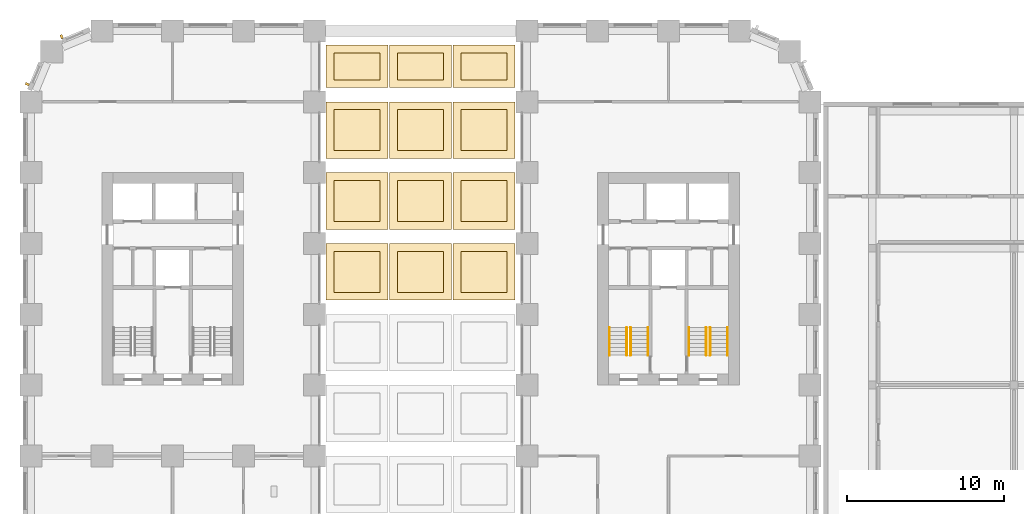
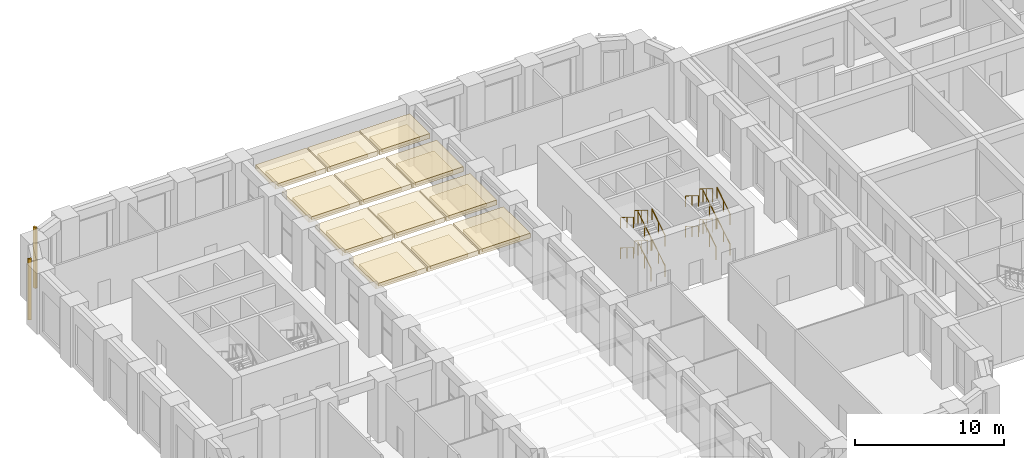
# One storey, part 20 of 24: 24 coverings, 16 railings, 2 shading devices.
"""IFC4 building model written with IfcOpenShell, lengths in metres."""

from ifc_helpers import new_model, si_unit, direction, frame, origin, origin_2d, place, context, subcontext, project, spatial, rectangle, circle, extrude, material, layer, layer_set, type_object, element, save


model = new_model("IFC4")

# Units and contexts
model_context = context("Model", 3, precision=1e-05, world=origin(), true_north=direction((0.0, 1.0)))
body_context = subcontext(model_context, "Body", "Model", "MODEL_VIEW")
ifc_project = project(units=[si_unit("LENGTHUNIT", "METRE"), si_unit("AREAUNIT", "SQUARE_METRE"), si_unit("VOLUMEUNIT", "CUBIC_METRE"), si_unit("PLANEANGLEUNIT", "RADIAN"), si_unit("MASSUNIT", "GRAM", prefix="KILO")], contexts=[model_context])

# Site, building, storey
site_placement = place(None, origin())
site = spatial("IfcSite", under=ifc_project, at=site_placement, CompositionType="ELEMENT")
building_placement = place(site_placement, origin())
building = spatial("IfcBuilding", under=site, at=building_placement, Name="Girih Gate Residences", CompositionType="ELEMENT")
storey_placement = place(building_placement, frame((0.0, 0.0, 16.0)))
storey = spatial("IfcBuildingStorey", under=building, at=storey_placement, Name="L03", CompositionType="ELEMENT", Elevation=16.0)

# Shading devices
ifc_material_1 = material(Name="Precast concrete C50/60", Category="concrete")
shading_device_type = type_object("IfcShadingDeviceType", Name="Corner rib 150x250", PredefinedType="USERDEFINED", material=ifc_material_1)
for number, where, z_axis, x_axis, name in (
    (1, (1.9443359375, 49.14501953125, 0.0), (0.0, 0.0, 1.0), (-0.923879532511, -0.382683432365, 0.0), "Corner rib NW0045_0495.0"),
    (2, (-0.238037109375, 46.123779296875, 0.0), (0.0, 0.0, 1.0), (-0.382683432365, -0.923879532511, 0.0), "Corner rib NW0013_0482.0"),
):
    element("IfcShadingDevice", number, at=place(storey_placement, frame(where, z_axis=z_axis, x_axis=x_axis)), inside=storey, type_object=shading_device_type, Name=name, ObjectType="FIN", PredefinedType="USERDEFINED", context=body_context, shape_type="SweptSolid", body=[
        extrude(rectangle(XDim=0.14990234375, YDim=0.25, at=origin_2d()), origin(), (0.0, 0.0, 1.0), 5.0),
    ])

# Coverings
ifc_layer_1 = layer(ifc_material_1, 0.25)
ifc_layer_set_1 = layer_set([ifc_layer_1], Name="Muqarnas soffit coffer 250")
covering_type_1 = type_object("IfcCoveringType", Name="Muqarnas soffit coffer 250", PredefinedType="CEILING", material=ifc_layer_set_1)
for number, where, z_axis, x_axis, name in (
    (3, (20.716796875, 34.199951171875, 3.89990234375), (0.0, 0.0, 1.0), (1.0, 0.0, 0.0), "Soffit coffer step 8.1"),
    (4, (24.75, 34.199951171875, 3.89990234375), (0.0, 0.0, 1.0), (1.0, 0.0, 0.0), "Soffit coffer step 8.2"),
    (5, (28.783203125, 34.199951171875, 3.89990234375), (0.0, 0.0, 1.0), (1.0, 0.0, 0.0), "Soffit coffer step 8.3"),
    (6, (20.716796875, 38.699951171875, 3.89990234375), (0.0, 0.0, 1.0), (1.0, 0.0, 0.0), "Soffit coffer step 9.1"),
    (7, (24.75, 38.699951171875, 3.89990234375), (0.0, 0.0, 1.0), (1.0, 0.0, 0.0), "Soffit coffer step 9.2"),
    (8, (28.783203125, 38.699951171875, 3.89990234375), (0.0, 0.0, 1.0), (1.0, 0.0, 0.0), "Soffit coffer step 9.3"),
    (9, (20.716796875, 43.199951171875, 3.89990234375), (0.0, 0.0, 1.0), (1.0, 0.0, 0.0), "Soffit coffer step 10.1"),
    (10, (24.75, 43.199951171875, 3.89990234375), (0.0, 0.0, 1.0), (1.0, 0.0, 0.0), "Soffit coffer step 10.2"),
    (11, (28.783203125, 43.199951171875, 3.89990234375), (0.0, 0.0, 1.0), (1.0, 0.0, 0.0), "Soffit coffer step 10.3"),
):
    element("IfcCovering", number, at=place(storey_placement, frame(where, z_axis=z_axis, x_axis=x_axis)), inside=storey, type_object=covering_type_1, Name=name, PredefinedType="CEILING", context=body_context, shape_type="SweptSolid", body=[
        extrude(rectangle(XDim=2.933349609375, YDim=2.60009765625, at=origin_2d()), origin(), (0.0, 0.0, 1.0), 0.25),
    ])
for number, where, z_axis, x_axis, name in (
    (12, (20.716796875, 47.25, 3.89990234375), (0.0, 0.0, 1.0), (1.0, 0.0, 0.0), "Soffit coffer step 11.1"),
    (13, (24.75, 47.25, 3.89990234375), (0.0, 0.0, 1.0), (1.0, 0.0, 0.0), "Soffit coffer step 11.2"),
    (14, (28.783203125, 47.25, 3.89990234375), (0.0, 0.0, 1.0), (1.0, 0.0, 0.0), "Soffit coffer step 11.3"),
):
    element("IfcCovering", number, at=place(storey_placement, frame(where, z_axis=z_axis, x_axis=x_axis)), inside=storey, type_object=covering_type_1, Name=name, PredefinedType="CEILING", context=body_context, shape_type="SweptSolid", body=[
        extrude(rectangle(XDim=2.933349609375, YDim=1.699951171875, at=origin_2d()), origin(), (0.0, 0.0, 1.0), 0.25),
    ])
ifc_layer_2 = layer(ifc_material_1, 0.39990234375)
ifc_layer_set_2 = layer_set([ifc_layer_2], Name="Muqarnas soffit coffer 400")
covering_type_2 = type_object("IfcCoveringType", Name="Muqarnas soffit coffer 400", PredefinedType="CEILING", material=ifc_layer_set_2)
for number, where, z_axis, x_axis, name in (
    (15, (20.716796875, 34.199951171875, 4.150146484375), (0.0, 0.0, 1.0), (1.0, 0.0, 0.0), "Soffit coffer 8.1"),
    (16, (24.75, 34.199951171875, 4.150146484375), (0.0, 0.0, 1.0), (1.0, 0.0, 0.0), "Soffit coffer 8.2"),
    (17, (28.783203125, 34.199951171875, 4.150146484375), (0.0, 0.0, 1.0), (1.0, 0.0, 0.0), "Soffit coffer 8.3"),
    (18, (20.716796875, 38.699951171875, 4.150146484375), (0.0, 0.0, 1.0), (1.0, 0.0, 0.0), "Soffit coffer 9.1"),
    (19, (24.75, 38.699951171875, 4.150146484375), (0.0, 0.0, 1.0), (1.0, 0.0, 0.0), "Soffit coffer 9.2"),
    (20, (28.783203125, 38.699951171875, 4.150146484375), (0.0, 0.0, 1.0), (1.0, 0.0, 0.0), "Soffit coffer 9.3"),
    (21, (20.716796875, 43.199951171875, 4.150146484375), (0.0, 0.0, 1.0), (1.0, 0.0, 0.0), "Soffit coffer 10.1"),
    (22, (24.75, 43.199951171875, 4.150146484375), (0.0, 0.0, 1.0), (1.0, 0.0, 0.0), "Soffit coffer 10.2"),
    (23, (28.783203125, 43.199951171875, 4.150146484375), (0.0, 0.0, 1.0), (1.0, 0.0, 0.0), "Soffit coffer 10.3"),
):
    element("IfcCovering", number, at=place(storey_placement, frame(where, z_axis=z_axis, x_axis=x_axis)), inside=storey, type_object=covering_type_2, Name=name, PredefinedType="CEILING", context=body_context, shape_type="SweptSolid", body=[
        extrude(rectangle(XDim=3.933349609375, YDim=3.60009765625, at=origin_2d()), origin(), (0.0, 0.0, 1.0), 0.39990234375),
    ])
for number, where, z_axis, x_axis, name in (
    (24, (20.716796875, 47.25, 4.150146484375), (0.0, 0.0, 1.0), (1.0, 0.0, 0.0), "Soffit coffer 11.1"),
    (25, (24.75, 47.25, 4.150146484375), (0.0, 0.0, 1.0), (1.0, 0.0, 0.0), "Soffit coffer 11.2"),
    (26, (28.783203125, 47.25, 4.150146484375), (0.0, 0.0, 1.0), (1.0, 0.0, 0.0), "Soffit coffer 11.3"),
):
    element("IfcCovering", number, at=place(storey_placement, frame(where, z_axis=z_axis, x_axis=x_axis)), inside=storey, type_object=covering_type_2, Name=name, PredefinedType="CEILING", context=body_context, shape_type="SweptSolid", body=[
        extrude(rectangle(XDim=3.933349609375, YDim=2.699951171875, at=origin_2d()), origin(), (0.0, 0.0, 1.0), 0.39990234375),
    ])

# Railings
ifc_material_2 = material(Name="Stainless steel", Category="steel")
railing_type_1 = type_object("IfcRailingType", Name="Stair guard 1100", PredefinedType="GUARDRAIL", material=ifc_material_2)
railing_1_placement = place(storey_placement, frame((43.14990234375, 28.89990234375, 0.15625)))
element("IfcRailing", 27, at=railing_1_placement, inside=storey, type_object=railing_type_1, Name="L03 ST-E1 stair guard 1", PredefinedType="GUARDRAIL", context=body_context, shape_type="SweptSolid", body=[
    extrude(circle(Radius=0.02392578125, at=origin_2d()), frame((0.0, 0.0, 1.076171875), z_axis=(0.0, 0.847998304005, 0.529998940003), x_axis=(-1.0, 0.0, 0.0)), (0.0, 0.0, 1.0), 2.063720703125),
    extrude(circle(Radius=0.02099609375, at=origin_2d()), origin(), (0.0, 0.0, 1.0), 1.052001953125),
    extrude(circle(Radius=0.02099609375, at=origin_2d()), frame((0.0, 0.875, 0.546875)), (0.0, 0.0, 1.0), 1.052001953125),
    extrude(circle(Radius=0.02099609375, at=origin_2d()), frame((0.0, 1.75, 1.09375)), (0.0, 0.0, 1.0), 1.052001953125),
])
railing_2_placement = place(storey_placement, frame((42.89990234375, 30.64990234375, 1.40625)))
element("IfcRailing", 28, at=railing_2_placement, inside=storey, type_object=railing_type_1, Name="L03 ST-E1 stair guard 2", PredefinedType="GUARDRAIL", context=body_context, shape_type="SweptSolid", body=[
    extrude(circle(Radius=0.02392578125, at=origin_2d()), frame((0.0, 0.0, 1.076171875), z_axis=(0.0, -0.847998304005, 0.529998940003), x_axis=(1.0, 0.0, 0.0)), (0.0, 0.0, 1.0), 2.063720703125),
    extrude(circle(Radius=0.02099609375, at=origin_2d()), origin(), (0.0, 0.0, 1.0), 1.052001953125),
    extrude(circle(Radius=0.02099609375, at=origin_2d()), frame((0.0, -0.875, 0.546875)), (0.0, 0.0, 1.0), 1.052001953125),
    extrude(circle(Radius=0.02099609375, at=origin_2d()), frame((0.0, -1.75, 1.09375)), (0.0, 0.0, 1.0), 1.052001953125),
])
railing_3_placement = place(storey_placement, frame((43.14990234375, 28.89990234375, 2.65625)))
element("IfcRailing", 29, at=railing_3_placement, inside=storey, type_object=railing_type_1, Name="L03 ST-E1 stair guard 3", PredefinedType="GUARDRAIL", context=body_context, shape_type="SweptSolid", body=[
    extrude(circle(Radius=0.02392578125, at=origin_2d()), frame((0.0, 0.0, 1.076171875), z_axis=(0.0, 0.847998304005, 0.529998940003), x_axis=(-1.0, 0.0, 0.0)), (0.0, 0.0, 1.0), 2.063720703125),
    extrude(circle(Radius=0.02099609375, at=origin_2d()), origin(), (0.0, 0.0, 1.0), 1.052001953125),
    extrude(circle(Radius=0.02099609375, at=origin_2d()), frame((0.0, 0.875, 0.546875)), (0.0, 0.0, 1.0), 1.052001953125),
    extrude(circle(Radius=0.02099609375, at=origin_2d()), frame((0.0, 1.75, 1.09375)), (0.0, 0.0, 1.0), 1.052001953125),
])
railing_4_placement = place(storey_placement, frame((42.89990234375, 30.64990234375, 3.90625)))
element("IfcRailing", 30, at=railing_4_placement, inside=storey, type_object=railing_type_1, Name="L03 ST-E1 stair guard 4", PredefinedType="GUARDRAIL", context=body_context, shape_type="SweptSolid", body=[
    extrude(circle(Radius=0.02392578125, at=origin_2d()), frame((0.0, 0.0, 1.076171875), z_axis=(0.0, -0.847998304005, 0.529998940003), x_axis=(1.0, 0.0, 0.0)), (0.0, 0.0, 1.0), 2.063720703125),
    extrude(circle(Radius=0.02099609375, at=origin_2d()), origin(), (0.0, 0.0, 1.0), 1.052001953125),
    extrude(circle(Radius=0.02099609375, at=origin_2d()), frame((0.0, -0.875, 0.546875)), (0.0, 0.0, 1.0), 1.052001953125),
    extrude(circle(Radius=0.02099609375, at=origin_2d()), frame((0.0, -1.75, 1.09375)), (0.0, 0.0, 1.0), 1.052001953125),
])
railing_5_placement = place(storey_placement, frame((38.10009765625, 28.89990234375, 0.15625)))
element("IfcRailing", 31, at=railing_5_placement, inside=storey, type_object=railing_type_1, Name="L03 ST-E2 stair guard 1", PredefinedType="GUARDRAIL", context=body_context, shape_type="SweptSolid", body=[
    extrude(circle(Radius=0.02392578125, at=origin_2d()), frame((0.0, 0.0, 1.076171875), z_axis=(0.0, 0.847998304005, 0.529998940003), x_axis=(-1.0, 0.0, 0.0)), (0.0, 0.0, 1.0), 2.063720703125),
    extrude(circle(Radius=0.02099609375, at=origin_2d()), origin(), (0.0, 0.0, 1.0), 1.052001953125),
    extrude(circle(Radius=0.02099609375, at=origin_2d()), frame((0.0, 0.875, 0.546875)), (0.0, 0.0, 1.0), 1.052001953125),
    extrude(circle(Radius=0.02099609375, at=origin_2d()), frame((0.0, 1.75, 1.09375)), (0.0, 0.0, 1.0), 1.052001953125),
])
railing_6_placement = place(storey_placement, frame((37.85009765625, 30.64990234375, 1.40625)))
element("IfcRailing", 32, at=railing_6_placement, inside=storey, type_object=railing_type_1, Name="L03 ST-E2 stair guard 2", PredefinedType="GUARDRAIL", context=body_context, shape_type="SweptSolid", body=[
    extrude(circle(Radius=0.02392578125, at=origin_2d()), frame((0.0, 0.0, 1.076171875), z_axis=(0.0, -0.847998304005, 0.529998940003), x_axis=(1.0, 0.0, 0.0)), (0.0, 0.0, 1.0), 2.063720703125),
    extrude(circle(Radius=0.02099609375, at=origin_2d()), origin(), (0.0, 0.0, 1.0), 1.052001953125),
    extrude(circle(Radius=0.02099609375, at=origin_2d()), frame((0.0, -0.875, 0.546875)), (0.0, 0.0, 1.0), 1.052001953125),
    extrude(circle(Radius=0.02099609375, at=origin_2d()), frame((0.0, -1.75, 1.09375)), (0.0, 0.0, 1.0), 1.052001953125),
])
railing_7_placement = place(storey_placement, frame((38.10009765625, 28.89990234375, 2.65625)))
element("IfcRailing", 33, at=railing_7_placement, inside=storey, type_object=railing_type_1, Name="L03 ST-E2 stair guard 3", PredefinedType="GUARDRAIL", context=body_context, shape_type="SweptSolid", body=[
    extrude(circle(Radius=0.02392578125, at=origin_2d()), frame((0.0, 0.0, 1.076171875), z_axis=(0.0, 0.847998304005, 0.529998940003), x_axis=(-1.0, 0.0, 0.0)), (0.0, 0.0, 1.0), 2.063720703125),
    extrude(circle(Radius=0.02099609375, at=origin_2d()), origin(), (0.0, 0.0, 1.0), 1.052001953125),
    extrude(circle(Radius=0.02099609375, at=origin_2d()), frame((0.0, 0.875, 0.546875)), (0.0, 0.0, 1.0), 1.052001953125),
    extrude(circle(Radius=0.02099609375, at=origin_2d()), frame((0.0, 1.75, 1.09375)), (0.0, 0.0, 1.0), 1.052001953125),
])
railing_8_placement = place(storey_placement, frame((37.85009765625, 30.64990234375, 3.90625)))
element("IfcRailing", 34, at=railing_8_placement, inside=storey, type_object=railing_type_1, Name="L03 ST-E2 stair guard 4", PredefinedType="GUARDRAIL", context=body_context, shape_type="SweptSolid", body=[
    extrude(circle(Radius=0.02392578125, at=origin_2d()), frame((0.0, 0.0, 1.076171875), z_axis=(0.0, -0.847998304005, 0.529998940003), x_axis=(1.0, 0.0, 0.0)), (0.0, 0.0, 1.0), 2.063720703125),
    extrude(circle(Radius=0.02099609375, at=origin_2d()), origin(), (0.0, 0.0, 1.0), 1.052001953125),
    extrude(circle(Radius=0.02099609375, at=origin_2d()), frame((0.0, -0.875, 0.546875)), (0.0, 0.0, 1.0), 1.052001953125),
    extrude(circle(Radius=0.02099609375, at=origin_2d()), frame((0.0, -1.75, 1.09375)), (0.0, 0.0, 1.0), 1.052001953125),
])
railing_type_2 = type_object("IfcRailingType", Name="Stair handrail 900", PredefinedType="HANDRAIL", material=ifc_material_2)
railing_9_placement = place(storey_placement, frame((44.25, 28.89990234375, 0.15625)))
element("IfcRailing", 35, at=railing_9_placement, inside=storey, type_object=railing_type_2, Name="L03 ST-E1 stair handrail 1", PredefinedType="HANDRAIL", context=body_context, shape_type="SweptSolid", body=[
    extrude(circle(Radius=0.02392578125, at=origin_2d()), frame((0.0, 0.0, 0.8857421875), z_axis=(0.0, 0.847998304005, 0.529998940003), x_axis=(-1.0, 0.0, 0.0)), (0.0, 0.0, 1.0), 2.063720703125),
    extrude(circle(Radius=0.02099609375, at=origin_2d()), origin(), (0.0, 0.0, 1.0), 0.86181640625),
    extrude(circle(Radius=0.02099609375, at=origin_2d()), frame((0.0, 0.875, 0.546875)), (0.0, 0.0, 1.0), 0.86181640625),
    extrude(circle(Radius=0.02099609375, at=origin_2d()), frame((0.0, 1.75, 1.09375)), (0.0, 0.0, 1.0), 0.86181640625),
])
railing_10_placement = place(storey_placement, frame((41.800048828125, 30.64990234375, 1.40625)))
element("IfcRailing", 36, at=railing_10_placement, inside=storey, type_object=railing_type_2, Name="L03 ST-E1 stair handrail 2", PredefinedType="HANDRAIL", context=body_context, shape_type="SweptSolid", body=[
    extrude(circle(Radius=0.02392578125, at=origin_2d()), frame((0.0, 0.0, 0.8857421875), z_axis=(0.0, -0.847998304005, 0.529998940003), x_axis=(1.0, 0.0, 0.0)), (0.0, 0.0, 1.0), 2.063720703125),
    extrude(circle(Radius=0.02099609375, at=origin_2d()), origin(), (0.0, 0.0, 1.0), 0.86181640625),
    extrude(circle(Radius=0.02099609375, at=origin_2d()), frame((0.0, -0.875, 0.546875)), (0.0, 0.0, 1.0), 0.86181640625),
    extrude(circle(Radius=0.02099609375, at=origin_2d()), frame((0.0, -1.75, 1.09375)), (0.0, 0.0, 1.0), 0.86181640625),
])
railing_11_placement = place(storey_placement, frame((44.25, 28.89990234375, 2.65625)))
element("IfcRailing", 37, at=railing_11_placement, inside=storey, type_object=railing_type_2, Name="L03 ST-E1 stair handrail 3", PredefinedType="HANDRAIL", context=body_context, shape_type="SweptSolid", body=[
    extrude(circle(Radius=0.02392578125, at=origin_2d()), frame((0.0, 0.0, 0.8857421875), z_axis=(0.0, 0.847998304005, 0.529998940003), x_axis=(-1.0, 0.0, 0.0)), (0.0, 0.0, 1.0), 2.063720703125),
    extrude(circle(Radius=0.02099609375, at=origin_2d()), origin(), (0.0, 0.0, 1.0), 0.86181640625),
    extrude(circle(Radius=0.02099609375, at=origin_2d()), frame((0.0, 0.875, 0.546875)), (0.0, 0.0, 1.0), 0.86181640625),
    extrude(circle(Radius=0.02099609375, at=origin_2d()), frame((0.0, 1.75, 1.09375)), (0.0, 0.0, 1.0), 0.86181640625),
])
railing_12_placement = place(storey_placement, frame((41.800048828125, 30.64990234375, 3.90625)))
element("IfcRailing", 38, at=railing_12_placement, inside=storey, type_object=railing_type_2, Name="L03 ST-E1 stair handrail 4", PredefinedType="HANDRAIL", context=body_context, shape_type="SweptSolid", body=[
    extrude(circle(Radius=0.02392578125, at=origin_2d()), frame((0.0, 0.0, 0.8857421875), z_axis=(0.0, -0.847998304005, 0.529998940003), x_axis=(1.0, 0.0, 0.0)), (0.0, 0.0, 1.0), 2.063720703125),
    extrude(circle(Radius=0.02099609375, at=origin_2d()), origin(), (0.0, 0.0, 1.0), 0.86181640625),
    extrude(circle(Radius=0.02099609375, at=origin_2d()), frame((0.0, -0.875, 0.546875)), (0.0, 0.0, 1.0), 0.86181640625),
    extrude(circle(Radius=0.02099609375, at=origin_2d()), frame((0.0, -1.75, 1.09375)), (0.0, 0.0, 1.0), 0.86181640625),
])
railing_13_placement = place(storey_placement, frame((39.199951171875, 28.89990234375, 0.15625)))
element("IfcRailing", 39, at=railing_13_placement, inside=storey, type_object=railing_type_2, Name="L03 ST-E2 stair handrail 1", PredefinedType="HANDRAIL", context=body_context, shape_type="SweptSolid", body=[
    extrude(circle(Radius=0.02392578125, at=origin_2d()), frame((0.0, 0.0, 0.8857421875), z_axis=(0.0, 0.847998304005, 0.529998940003), x_axis=(-1.0, 0.0, 0.0)), (0.0, 0.0, 1.0), 2.063720703125),
    extrude(circle(Radius=0.02099609375, at=origin_2d()), origin(), (0.0, 0.0, 1.0), 0.86181640625),
    extrude(circle(Radius=0.02099609375, at=origin_2d()), frame((0.0, 0.875, 0.546875)), (0.0, 0.0, 1.0), 0.86181640625),
    extrude(circle(Radius=0.02099609375, at=origin_2d()), frame((0.0, 1.75, 1.09375)), (0.0, 0.0, 1.0), 0.86181640625),
])
railing_14_placement = place(storey_placement, frame((36.75, 30.64990234375, 1.40625)))
element("IfcRailing", 40, at=railing_14_placement, inside=storey, type_object=railing_type_2, Name="L03 ST-E2 stair handrail 2", PredefinedType="HANDRAIL", context=body_context, shape_type="SweptSolid", body=[
    extrude(circle(Radius=0.02392578125, at=origin_2d()), frame((0.0, 0.0, 0.8857421875), z_axis=(0.0, -0.847998304005, 0.529998940003), x_axis=(1.0, 0.0, 0.0)), (0.0, 0.0, 1.0), 2.063720703125),
    extrude(circle(Radius=0.02099609375, at=origin_2d()), origin(), (0.0, 0.0, 1.0), 0.86181640625),
    extrude(circle(Radius=0.02099609375, at=origin_2d()), frame((0.0, -0.875, 0.546875)), (0.0, 0.0, 1.0), 0.86181640625),
    extrude(circle(Radius=0.02099609375, at=origin_2d()), frame((0.0, -1.75, 1.09375)), (0.0, 0.0, 1.0), 0.86181640625),
])
railing_15_placement = place(storey_placement, frame((39.199951171875, 28.89990234375, 2.65625)))
element("IfcRailing", 41, at=railing_15_placement, inside=storey, type_object=railing_type_2, Name="L03 ST-E2 stair handrail 3", PredefinedType="HANDRAIL", context=body_context, shape_type="SweptSolid", body=[
    extrude(circle(Radius=0.02392578125, at=origin_2d()), frame((0.0, 0.0, 0.8857421875), z_axis=(0.0, 0.847998304005, 0.529998940003), x_axis=(-1.0, 0.0, 0.0)), (0.0, 0.0, 1.0), 2.063720703125),
    extrude(circle(Radius=0.02099609375, at=origin_2d()), origin(), (0.0, 0.0, 1.0), 0.86181640625),
    extrude(circle(Radius=0.02099609375, at=origin_2d()), frame((0.0, 0.875, 0.546875)), (0.0, 0.0, 1.0), 0.86181640625),
    extrude(circle(Radius=0.02099609375, at=origin_2d()), frame((0.0, 1.75, 1.09375)), (0.0, 0.0, 1.0), 0.86181640625),
])
railing_16_placement = place(storey_placement, frame((36.75, 30.64990234375, 3.90625)))
element("IfcRailing", 42, at=railing_16_placement, inside=storey, type_object=railing_type_2, Name="L03 ST-E2 stair handrail 4", PredefinedType="HANDRAIL", context=body_context, shape_type="SweptSolid", body=[
    extrude(circle(Radius=0.02392578125, at=origin_2d()), frame((0.0, 0.0, 0.8857421875), z_axis=(0.0, -0.847998304005, 0.529998940003), x_axis=(1.0, 0.0, 0.0)), (0.0, 0.0, 1.0), 2.063720703125),
    extrude(circle(Radius=0.02099609375, at=origin_2d()), origin(), (0.0, 0.0, 1.0), 0.86181640625),
    extrude(circle(Radius=0.02099609375, at=origin_2d()), frame((0.0, -0.875, 0.546875)), (0.0, 0.0, 1.0), 0.86181640625),
    extrude(circle(Radius=0.02099609375, at=origin_2d()), frame((0.0, -1.75, 1.09375)), (0.0, 0.0, 1.0), 0.86181640625),
])

save(model, "model.ifc")
